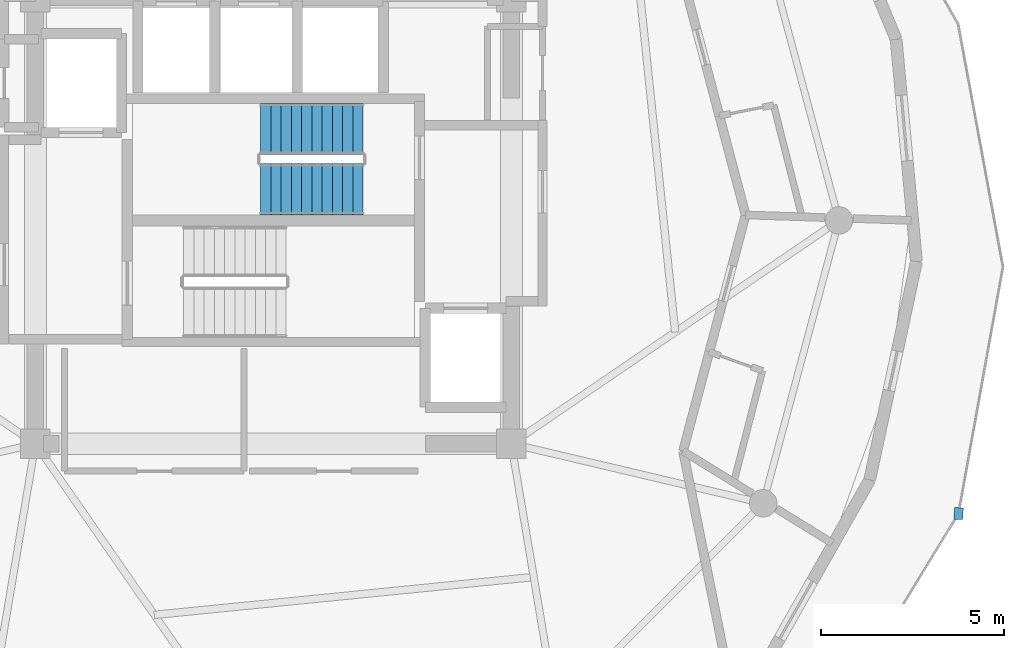
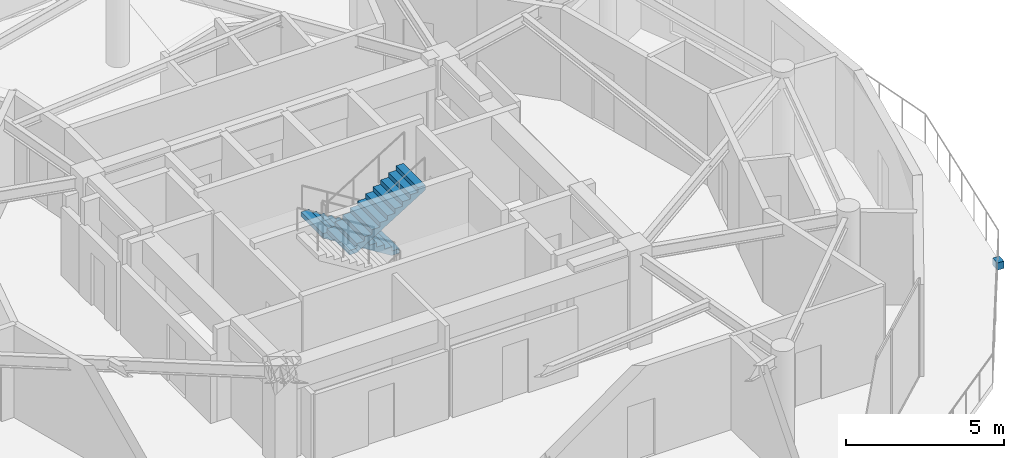
# One storey, part 20 of 22: 2 stair flights, 1 discrete accessory, 1 element without a shape of its own.
"""IFC4 building model written with IfcOpenShell, lengths in metres."""

from ifc_helpers import new_model, si_unit, direction, frame, origin, origin_2d, place, context, subcontext, project, spatial, polyline, rectangle, outline, extrude, material, type_object, element, aggregate, save


model = new_model("IFC4")

# Units and contexts
model_context = context("Model", 3, precision=1e-05, world=origin(), true_north=direction((0.0, 1.0)))
body_context = subcontext(model_context, "Body", "Model", "MODEL_VIEW")
ifc_project = project(units=[si_unit("LENGTHUNIT", "METRE"), si_unit("AREAUNIT", "SQUARE_METRE"), si_unit("VOLUMEUNIT", "CUBIC_METRE"), si_unit("PLANEANGLEUNIT", "RADIAN"), si_unit("MASSUNIT", "GRAM", prefix="KILO")], contexts=[model_context])

# Site, building, storey
site_placement = place(None, origin())
site = spatial("IfcSite", under=ifc_project, at=site_placement, CompositionType="ELEMENT")
building_placement = place(site_placement, origin())
building = spatial("IfcBuilding", under=site, at=building_placement, Name="Solvirekh Grand Hotel", CompositionType="ELEMENT")
storey_placement = place(building_placement, frame((0.0, 0.0, 289.60009765625)))
storey = spatial("IfcBuildingStorey", under=building, at=storey_placement, Name="L75", CompositionType="ELEMENT", Elevation=289.60009765625)

# Stair, stair flights
ifc_material_1 = material(Name="Concrete C40/50", Category="concrete")
stair_type = type_object("IfcStairType", Name="Stair_Core_1450", PredefinedType="HALF_TURN_STAIR", material=ifc_material_1)
stair_placement = place(storey_placement, origin())
stair = element("IfcStair", 1, at=stair_placement, inside=storey, type_object=stair_type, Name="L75 Enclosed exit stair ST-2", PredefinedType="HALF_TURN_STAIR")
stair_flight_type = type_object("IfcStairFlightType", Name="Flight_Core_1450", PredefinedType="STRAIGHT", material=ifc_material_1)
stair_flight_1_placement = place(storey_placement, frame((2.449951171875, 2.5, 0.0), z_axis=(0.0, 0.0, 1.0), x_axis=(-1.0, 0.0, 0.0)))
stair_flight_1 = element("IfcStairFlight", 2, at=stair_flight_1_placement, type_object=stair_flight_type, Name="ST-2 flight 1", NumberOfRisers=11, NumberOfTreads=10, PredefinedType="STRAIGHT", RiserHeight=0.172727273, TreadLength=0.28, context=body_context, shape_type="SweptSolid", body=[
    extrude(outline(polyline([(0.0, 0.0), (0.0, 0.172607421875), (0.280029296875, 0.172607421875), (0.280029296875, 0.345458984375), (0.56005859375, 0.345458984375), (0.56005859375, 0.51806640625), (0.840087890625, 0.51806640625), (0.840087890625, 0.69091796875), (1.1201171875, 0.69091796875), (1.1201171875, 0.863525390625), (1.39990234375, 0.863525390625), (1.39990234375, 1.036376953125), (1.679931640625, 1.036376953125), (1.679931640625, 1.208984375), (1.9599609375, 1.208984375), (1.9599609375, 1.3818359375), (2.239990234375, 1.3818359375), (2.239990234375, 1.554443359375), (2.52001953125, 1.554443359375), (2.52001953125, 1.727294921875), (2.800048828125, 1.727294921875), (2.800048828125, 1.89990234375), (2.800048828125, 1.551025390625), (0.285400390625, 0.0), (0.0, 0.0)])), frame((0.0, 0.699951171875, 0.0), z_axis=(0.0, -1.0, 0.0), x_axis=(1.0, 0.0, 0.0)), (0.0, 0.0, 1.0), 1.39990234375),
])
stair_flight_2_placement = place(storey_placement, frame((-0.35009765625, 0.85009765625, 1.89990234375), z_axis=(0.0, 0.0, 1.0), x_axis=(1.0, 0.0, 0.0)))
stair_flight_2 = element("IfcStairFlight", 3, at=stair_flight_2_placement, type_object=stair_flight_type, Name="ST-2 flight 2", NumberOfRisers=11, NumberOfTreads=10, PredefinedType="STRAIGHT", RiserHeight=0.172727273, TreadLength=0.28, context=body_context, shape_type="SweptSolid", body=[
    extrude(outline(polyline([(0.0, 0.0), (0.0, 0.172607421875), (0.280029296875, 0.172607421875), (0.280029296875, 0.345458984375), (0.56005859375, 0.345458984375), (0.56005859375, 0.51806640625), (0.840087890625, 0.51806640625), (0.840087890625, 0.69091796875), (1.1201171875, 0.69091796875), (1.1201171875, 0.863525390625), (1.39990234375, 0.863525390625), (1.39990234375, 1.036376953125), (1.679931640625, 1.036376953125), (1.679931640625, 1.208984375), (1.9599609375, 1.208984375), (1.9599609375, 1.3818359375), (2.239990234375, 1.3818359375), (2.239990234375, 1.554443359375), (2.52001953125, 1.554443359375), (2.52001953125, 1.727294921875), (2.800048828125, 1.727294921875), (2.800048828125, 1.89990234375), (2.800048828125, 1.551025390625), (0.285400390625, 0.0), (0.0, 0.0)])), frame((0.0, 0.699951171875, 0.0), z_axis=(0.0, -1.0, 0.0), x_axis=(1.0, 0.0, 0.0)), (0.0, 0.0, 1.0), 1.39990234375),
])
aggregate(stair, [stair_flight_1, stair_flight_2])

# Discrete accessory
ifc_material_2 = material(Name="Steel S355", Category="steel")
discrete_accessory_type = type_object("IfcDiscreteAccessoryType", Name="Acc_ThermalBracket", PredefinedType="BRACKET", material=ifc_material_2)
discrete_accessory_placement = place(storey_placement, frame((18.718994140625, -8.008056640625, -0.2802734375), z_axis=(0.0, 0.0, 1.0), x_axis=(-0.059306373576, -0.998239827924, 0.0)))
element("IfcDiscreteAccessory", 4, at=discrete_accessory_placement, inside=storey, type_object=discrete_accessory_type, Name="L75 balcony thermal-break bracket", PredefinedType="BRACKET", context=body_context, shape_type="SweptSolid", body=[
    extrude(rectangle(XDim=0.320068359375, YDim=0.239990234375, at=origin_2d()), origin(), (0.0, 0.0, 1.0), 0.280029296875),
])

save(model, "model.ifc")
